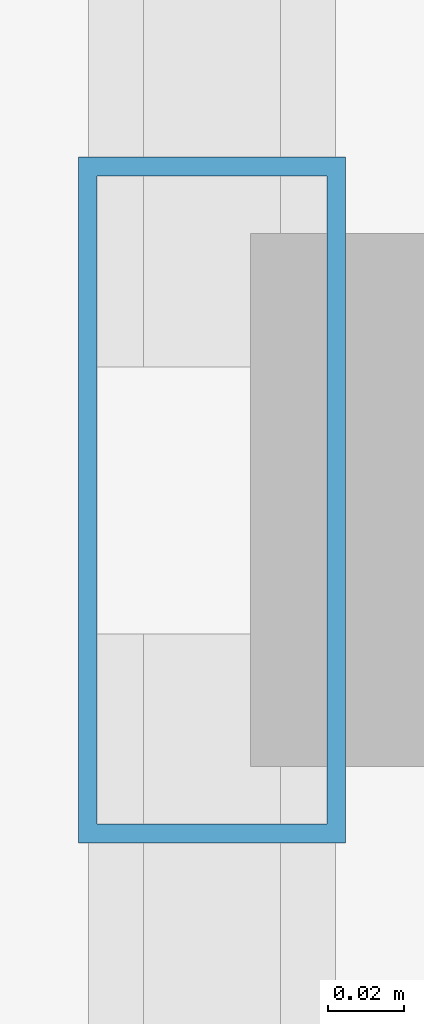
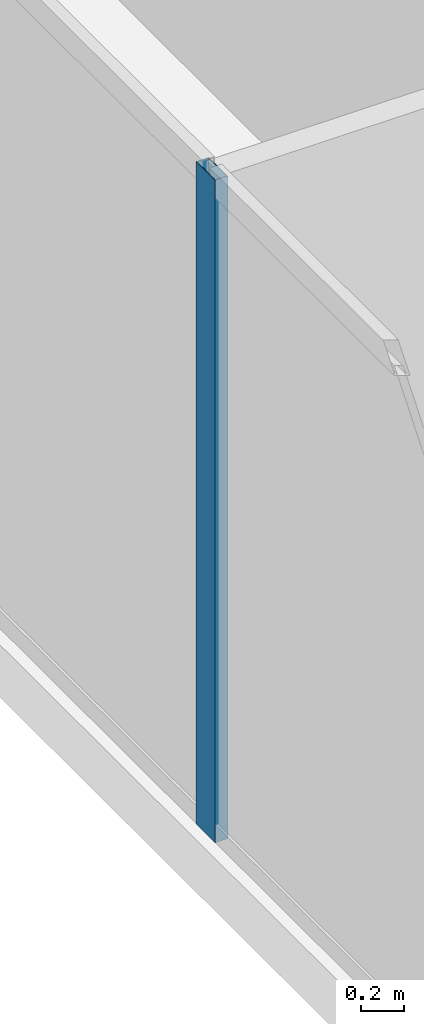
# One storey, part 9 of 33: 1 member, 1 element without a shape of its own.
"""IFC4 building model written with IfcOpenShell, lengths in metres."""

from ifc_helpers import new_model, si_unit, direction, frame, origin, origin_2d, place, context, subcontext, project, spatial, hollow_rectangle, extrude, source, transform, mapped, material, layer, layer_set, material_profile, profile_set, type_object, type_shapes, element, aggregate, save


model = new_model("IFC4")

# Units and contexts
model_context = context("Model", 3, precision=1e-05, world=origin(), true_north=direction((0.0, 1.0)))
body_context = subcontext(model_context, "Body", "Model", "MODEL_VIEW")
ifc_project = project(units=[si_unit("LENGTHUNIT", "METRE"), si_unit("AREAUNIT", "SQUARE_METRE"), si_unit("VOLUMEUNIT", "CUBIC_METRE"), si_unit("PLANEANGLEUNIT", "RADIAN"), si_unit("MASSUNIT", "GRAM", prefix="KILO")], contexts=[model_context])

# Site, building, storey
site_placement = place(None, origin())
site = spatial("IfcSite", under=ifc_project, at=site_placement, CompositionType="ELEMENT")
building_placement = place(site_placement, origin())
building = spatial("IfcBuilding", under=site, at=building_placement, Name="Haelvirn Gate Laboratories", CompositionType="ELEMENT")
storey_placement = place(building_placement, frame((0.0, 0.0, 238.300048828125)))
storey = spatial("IfcBuildingStorey", under=building, at=storey_placement, Name="L57", CompositionType="ELEMENT", Elevation=238.300048828125)

# Curtain wall, member
ifc_material_1 = material(Name="Anodised bronze unitised aluminium & triple low-E glass", Category="aluminium")
ifc_layer = layer(ifc_material_1, 0.176025390625, Name="CW-SYS-4")
ifc_layer_set = layer_set([ifc_layer], Name="Anodised bronze unitised aluminium & triple low-E glass")
curtain_wall_type = type_object("IfcCurtainWallType", Name="CW-SYS-4", PredefinedType="NOTDEFINED", material=ifc_layer_set)
curtain_wall_placement = place(storey_placement, origin())
curtain_wall = element("IfcCurtainWall", 1, at=curtain_wall_placement, inside=storey, type_object=curtain_wall_type, Name="L57 Unitised Curtain Wall CW-L57-P0-E17", PredefinedType="NOTDEFINED")
ifc_material_2 = material(Name="Extruded aluminium 6063-T6 (anodised bronze)", Category="aluminium")
ifc_material_profile = material_profile(ifc_material_2, hollow_rectangle(XDim=0.070068359375, YDim=0.179931640625, WallThickness=0.0048828125, at=origin_2d()), Name="CWM-180x70x5")
ifc_profile_set = profile_set([ifc_material_profile], Name="Extruded aluminium 6063-T6 (anodised bronze)")
member_type = type_object("IfcMemberType", Name="CWM-T180", PredefinedType="MULLION", material=ifc_profile_set)
shared_shape = source(origin(), body_context, "Body", "SweptSolid", [
    extrude(hollow_rectangle(XDim=0.070068359375, YDim=0.179931640625, WallThickness=0.0048828125, at=origin_2d()), origin(), (0.0, 0.0, 1.0), 3.800048828125),
])
type_shapes(member_type, [shared_shape])
member_placement = place(storey_placement, frame((4.10009765625, 24.300048828125, 0.0), z_axis=(0.0, 0.0, 1.0), x_axis=(1.0, 0.0, 0.0)))
member = element("IfcMember", 2, at=member_placement, type_object=member_type, Name="CW4 mullion 2", PredefinedType="MULLION", context=body_context, shape_type="MappedRepresentation", body=[
    mapped(shared_shape, transform((0.0, 0.0, 0.0), scale=1.0)),
])
aggregate(curtain_wall, [member])

save(model, "model.ifc")
